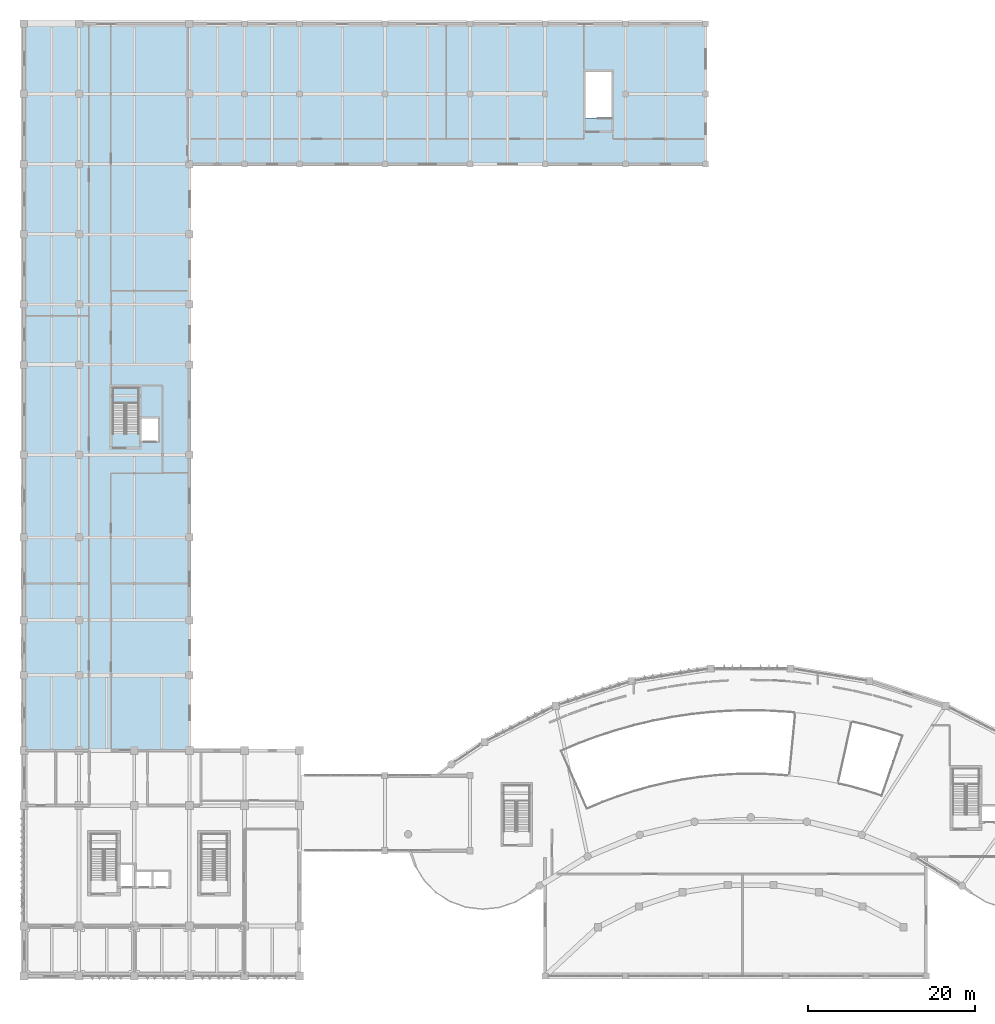
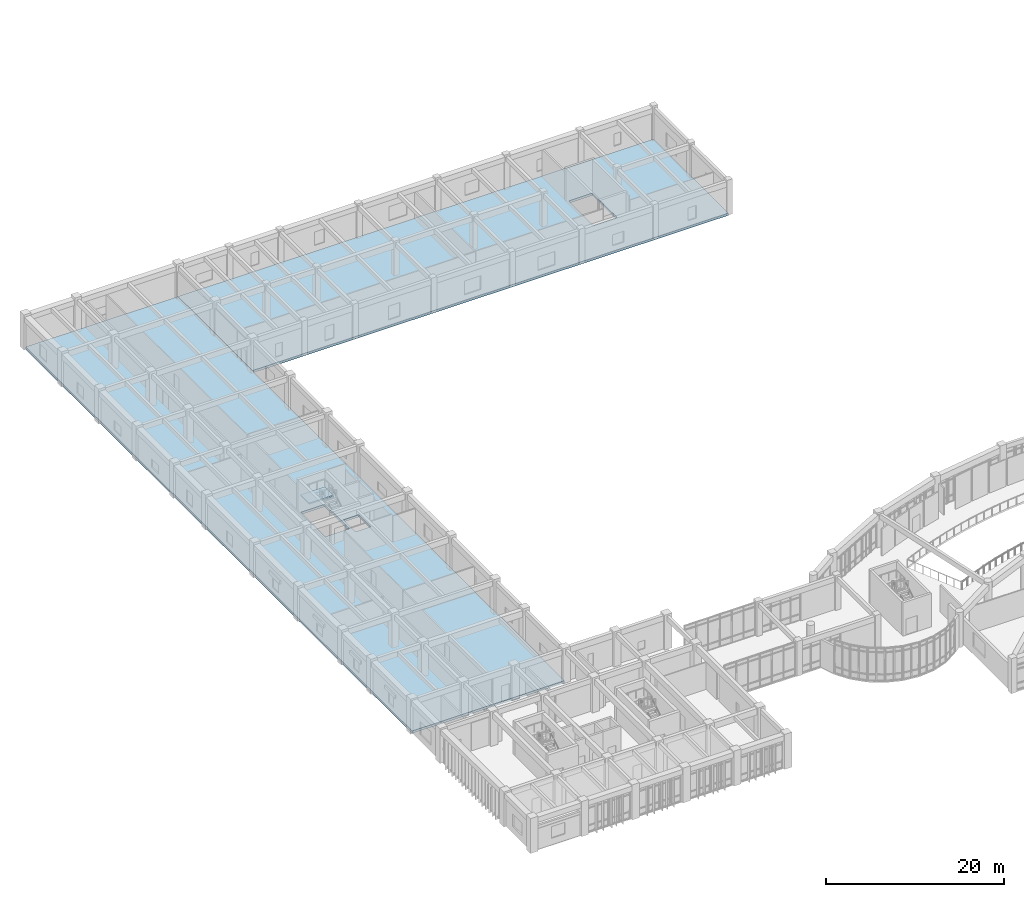
# One storey, part 45 of 68: 3 slabs, 1 element without a shape of its own.
"""IFC4 building model written with IfcOpenShell, lengths in metres."""

from ifc_helpers import new_model, si_unit, direction, frame, origin, place, context, subcontext, project, spatial, polyline, outline, extrude, material, layer, layer_set, type_object, element, aggregate, save


model = new_model("IFC4")

# Units and contexts
model_context = context("Model", 3, precision=1e-05, world=origin(), true_north=direction((0.0, 1.0)))
body_context = subcontext(model_context, "Body", "Model", "MODEL_VIEW")
ifc_project = project(units=[si_unit("LENGTHUNIT", "METRE"), si_unit("AREAUNIT", "SQUARE_METRE"), si_unit("VOLUMEUNIT", "CUBIC_METRE"), si_unit("PLANEANGLEUNIT", "RADIAN"), si_unit("MASSUNIT", "GRAM", prefix="KILO")], contexts=[model_context])

# Site, building, storey
site_placement = place(None, origin())
site = spatial("IfcSite", under=ifc_project, at=site_placement, CompositionType="ELEMENT")
building_placement = place(site_placement, origin())
building = spatial("IfcBuilding", under=site, at=building_placement, Name="Miralva Faculty of Natural Sciences", CompositionType="ELEMENT")
storey_placement = place(building_placement, frame((0.0, 0.0, 5.39990234375)))
storey = spatial("IfcBuildingStorey", under=building, at=storey_placement, Name="L01", CompositionType="ELEMENT", Elevation=5.39990234375)

# Slabs
ifc_material = material(Name="Concrete C40/50", Category="concrete")
ifc_layer_1 = layer(ifc_material, 0.320068359375, Name="SL-FL01")
ifc_layer_set_1 = layer_set([ifc_layer_1], Name="Concrete C40/50")
slab_type_1 = type_object("IfcSlabType", Name="SL-FL01", PredefinedType="FLOOR", material=ifc_layer_set_1)
slab_1_placement = place(storey_placement, frame((0.0, 0.0, -0.31982421875)))
element("IfcSlab", 1, at=slab_1_placement, inside=storey, type_object=slab_type_1, Name="V4 L01 floor slab", PredefinedType="FLOOR", context=body_context, shape_type="SweptSolid", body=[
    extrude(outline(polyline([(22.800048828125, 30.0), (3.0, 30.0), (3.0, 117.0), (22.800048828125, 117.0), (22.800048828125, 30.0)]), holes=[polyline([(16.72509765625, 67.925048828125), (13.625, 67.925048828125), (13.625, 73.425048828125), (16.72509765625, 73.425048828125), (16.72509765625, 67.925048828125)]), polyline([(19.050048828125, 67.050048828125), (17.050048828125, 67.050048828125), (17.050048828125, 69.75), (19.050048828125, 69.75), (19.050048828125, 67.050048828125)])]), origin(), (0.0, 0.0, 1.0), 0.31982421875),
])
slab_2_placement = place(storey_placement, frame((0.0, 0.0, -0.31982421875)))
element("IfcSlab", 2, at=slab_2_placement, inside=storey, type_object=slab_type_1, Name="V4 L01 floor slab", PredefinedType="FLOOR", context=body_context, shape_type="SweptSolid", body=[
    extrude(outline(polyline([(84.60009765625, 100.199951171875), (22.800048828125, 100.199951171875), (22.800048828125, 117.0), (84.60009765625, 117.0), (84.60009765625, 100.199951171875)]), holes=[polyline([(73.324951171875, 105.72509765625), (70.22509765625, 105.72509765625), (70.22509765625, 111.22509765625), (73.324951171875, 111.22509765625), (73.324951171875, 105.72509765625)])]), origin(), (0.0, 0.0, 1.0), 0.31982421875),
])

# Stair, slab
stair_type = type_object("IfcStairType", Name="ST-CORE-480", PredefinedType="HALF_TURN_STAIR", material=ifc_material)
stair_placement = place(storey_placement, origin())
stair = element("IfcStair", 3, at=stair_placement, inside=storey, type_object=stair_type, Name="Exit Stair Core C2 (ST-02) L01", PredefinedType="HALF_TURN_STAIR")
ifc_layer_2 = layer(ifc_material, 0.18994140625, Name="SL-LD01")
ifc_layer_set_2 = layer_set([ifc_layer_2], Name="Concrete C40/50")
slab_type_2 = type_object("IfcSlabType", Name="SL-LD01", PredefinedType="LANDING", material=ifc_layer_set_2)
slab_3_placement = place(storey_placement, frame((0.0, 0.0, 2.210205078125)))
slab_3 = element("IfcSlab", 4, at=slab_3_placement, type_object=slab_type_2, Name="ST-02 landing 1", PredefinedType="LANDING", context=body_context, shape_type="SweptSolid", body=[
    extrude(outline(polyline([(16.75, 71.5400390625), (16.75, 73.449951171875), (13.60009765625, 73.449951171875), (13.60009765625, 71.5400390625), (16.75, 71.5400390625)])), origin(), (0.0, 0.0, 1.0), 0.18994140625),
])
aggregate(stair, [slab_3])

save(model, "model.ifc")
